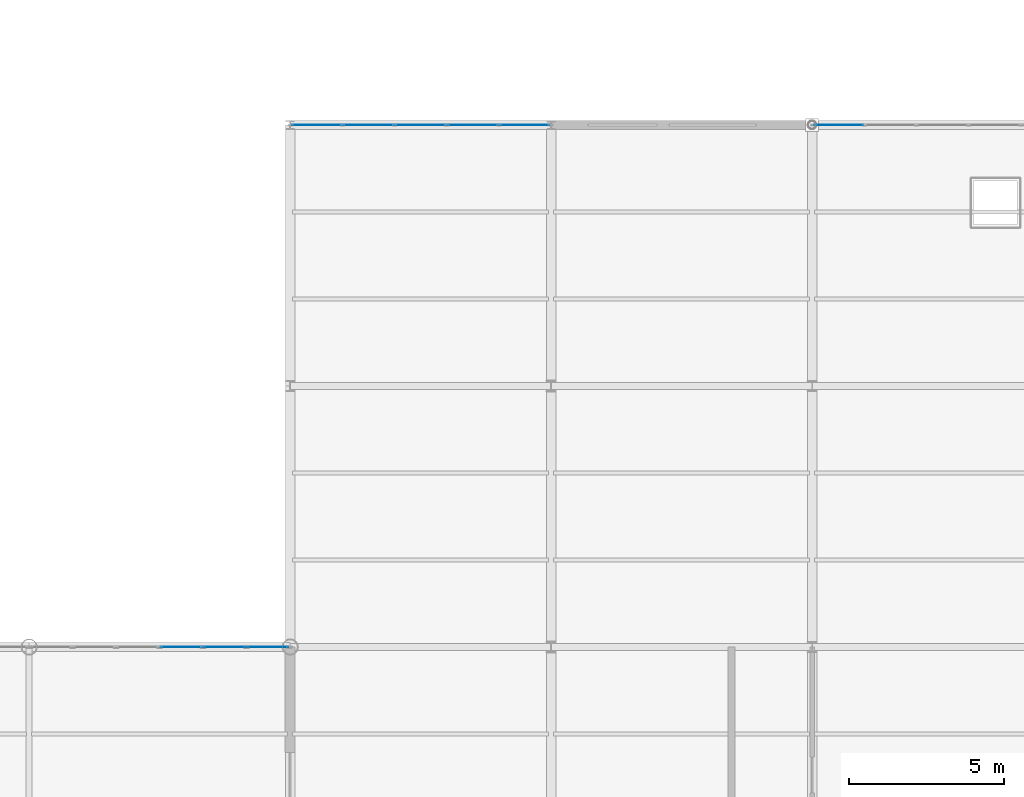
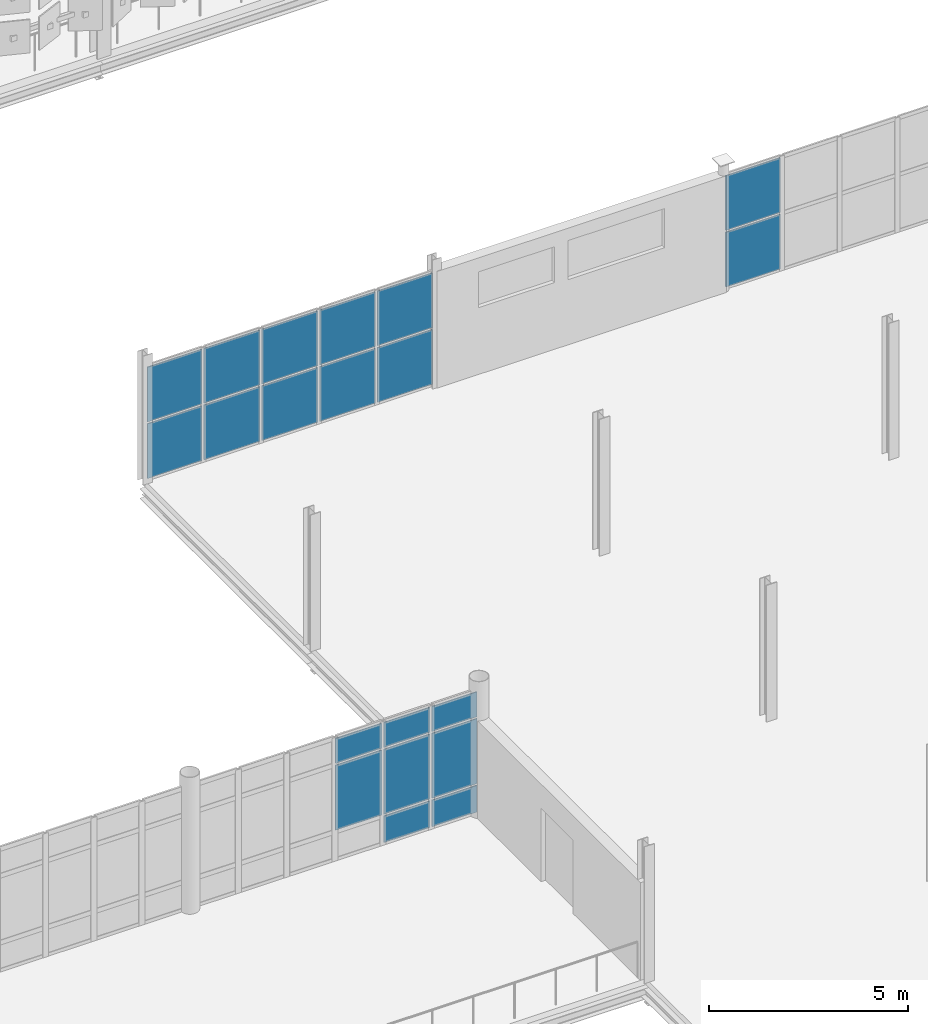
# One storey, part 118 of 163: 20 plates, 3 elements without a shape of their own.
"""IFC4 building model written with IfcOpenShell, lengths in metres."""

from ifc_helpers import new_model, si_unit, direction, frame, origin, origin_2d, place, context, subcontext, project, spatial, rectangle, extrude, material, layer, layer_set, type_object, element, aggregate, save


model = new_model("IFC4")

# Units and contexts
model_context = context("Model", 3, precision=1e-05, world=origin(), true_north=direction((0.0, 1.0)))
body_context = subcontext(model_context, "Body", "Model", "MODEL_VIEW")
ifc_project = project(units=[si_unit("LENGTHUNIT", "METRE"), si_unit("AREAUNIT", "SQUARE_METRE"), si_unit("VOLUMEUNIT", "CUBIC_METRE"), si_unit("PLANEANGLEUNIT", "RADIAN"), si_unit("MASSUNIT", "GRAM", prefix="KILO")], contexts=[model_context])

# Site, building, storey
site_placement = place(None, origin())
site = spatial("IfcSite", under=ifc_project, at=site_placement, CompositionType="ELEMENT")
building_placement = place(site_placement, origin())
building = spatial("IfcBuilding", under=site, at=building_placement, Name="Qalvenar Corner Mobility Hub", CompositionType="ELEMENT")
storey_placement = place(building_placement, frame((0.0, 0.0, 4.800048828125)))
storey = spatial("IfcBuildingStorey", under=building, at=storey_placement, Name="L01", CompositionType="ELEMENT", Elevation=4.800048828125)

# Curtain wall, plates
ifc_material_1 = material(Name="Anodised Aluminium and Low-E Glazing", Category="aluminium")
ifc_layer_1 = layer(ifc_material_1, 0.179931640625)
ifc_layer_set_1 = layer_set([ifc_layer_1], Name="Anodised Aluminium and Low-E Glazing")
curtain_wall_type_1 = type_object("IfcCurtainWallType", Name="CW-CONC-84X42", PredefinedType="NOTDEFINED", material=ifc_layer_set_1)
curtain_wall_1_placement = place(storey_placement, origin())
curtain_wall_1 = element("IfcCurtainWall", 1, at=curtain_wall_1_placement, inside=storey, type_object=curtain_wall_type_1, Name="Glazed Curtain Wall CW-V1-L01-N6", PredefinedType="NOTDEFINED")
ifc_material_2 = material(Name="Solar-Control Low-E Double Glazing", Category="glass")
ifc_layer_2 = layer(ifc_material_2, 0.028076171875)
ifc_layer_set_2 = layer_set([ifc_layer_2], Name="Solar-Control Low-E Double Glazing")
plate_type = type_object("IfcPlateType", Name="PLT-CWP-GLZ1", PredefinedType="CURTAIN_PANEL", material=ifc_layer_set_2)
plate_1_placement = place(storey_placement, frame((108.485107421875, 33.60009765625, 0.054931640625), z_axis=(0.0, 0.0, 1.0), x_axis=(-1.0, 0.0, 0.0)))
plate_1 = element("IfcPlate", 2, at=plate_1_placement, type_object=plate_type, Name="CW-02 panel 1.1", PredefinedType="CURTAIN_PANEL", context=body_context, shape_type="SweptSolid", body=[
    extrude(rectangle(XDim=1.31005859375, YDim=0.028076171875, at=origin_2d()), origin(), (0.0, 0.0, 1.0), 0.8173828125),
])
plate_2_placement = place(storey_placement, frame((108.485107421875, 33.60009765625, 0.927490234375), z_axis=(0.0, 0.0, 1.0), x_axis=(-1.0, 0.0, 0.0)))
plate_2 = element("IfcPlate", 3, at=plate_2_placement, type_object=plate_type, Name="CW-02 panel 1.2", PredefinedType="CURTAIN_PANEL", context=body_context, shape_type="SweptSolid", body=[
    extrude(rectangle(XDim=1.31005859375, YDim=0.028076171875, at=origin_2d()), origin(), (0.0, 0.0, 1.0), 1.9951171875),
])
plate_3_placement = place(storey_placement, frame((108.485107421875, 33.60009765625, 2.977294921875), z_axis=(0.0, 0.0, 1.0), x_axis=(-1.0, 0.0, 0.0)))
plate_3 = element("IfcPlate", 4, at=plate_3_placement, type_object=plate_type, Name="CW-02 panel 1.3", PredefinedType="CURTAIN_PANEL", context=body_context, shape_type="SweptSolid", body=[
    extrude(rectangle(XDim=1.31005859375, YDim=0.028076171875, at=origin_2d()), origin(), (0.0, 0.0, 1.0), 0.767578125),
])
plate_4_placement = place(storey_placement, frame((107.10009765625, 33.60009765625, 0.054931640625), z_axis=(0.0, 0.0, 1.0), x_axis=(-1.0, 0.0, 0.0)))
plate_4 = element("IfcPlate", 5, at=plate_4_placement, type_object=plate_type, Name="CW-02 panel 2.1", PredefinedType="CURTAIN_PANEL", context=body_context, shape_type="SweptSolid", body=[
    extrude(rectangle(XDim=1.340087890625, YDim=0.028076171875, at=origin_2d()), origin(), (0.0, 0.0, 1.0), 0.8173828125),
])
plate_5_placement = place(storey_placement, frame((107.10009765625, 33.60009765625, 0.927490234375), z_axis=(0.0, 0.0, 1.0), x_axis=(-1.0, 0.0, 0.0)))
plate_5 = element("IfcPlate", 6, at=plate_5_placement, type_object=plate_type, Name="CW-02 panel 2.2", PredefinedType="CURTAIN_PANEL", context=body_context, shape_type="SweptSolid", body=[
    extrude(rectangle(XDim=1.340087890625, YDim=0.028076171875, at=origin_2d()), origin(), (0.0, 0.0, 1.0), 1.9951171875),
])
plate_6_placement = place(storey_placement, frame((107.10009765625, 33.60009765625, 2.977294921875), z_axis=(0.0, 0.0, 1.0), x_axis=(-1.0, 0.0, 0.0)))
plate_6 = element("IfcPlate", 7, at=plate_6_placement, type_object=plate_type, Name="CW-02 panel 2.3", PredefinedType="CURTAIN_PANEL", context=body_context, shape_type="SweptSolid", body=[
    extrude(rectangle(XDim=1.340087890625, YDim=0.028076171875, at=origin_2d()), origin(), (0.0, 0.0, 1.0), 0.767578125),
])
plate_7_placement = place(storey_placement, frame((105.699951171875, 33.60009765625, 0.927490234375), z_axis=(0.0, 0.0, 1.0), x_axis=(-1.0, 0.0, 0.0)))
plate_7 = element("IfcPlate", 8, at=plate_7_placement, type_object=plate_type, Name="CW-02 panel 3.2", PredefinedType="CURTAIN_PANEL", context=body_context, shape_type="SweptSolid", body=[
    extrude(rectangle(XDim=1.340087890625, YDim=0.028076171875, at=origin_2d()), origin(), (0.0, 0.0, 1.0), 1.9951171875),
])
plate_8_placement = place(storey_placement, frame((105.699951171875, 33.60009765625, 2.977294921875), z_axis=(0.0, 0.0, 1.0), x_axis=(-1.0, 0.0, 0.0)))
plate_8 = element("IfcPlate", 9, at=plate_8_placement, type_object=plate_type, Name="CW-02 panel 3.3", PredefinedType="CURTAIN_PANEL", context=body_context, shape_type="SweptSolid", body=[
    extrude(rectangle(XDim=1.340087890625, YDim=0.028076171875, at=origin_2d()), origin(), (0.0, 0.0, 1.0), 0.767578125),
])
aggregate(curtain_wall_1, [plate_1, plate_2, plate_3, plate_4, plate_5, plate_6, plate_7, plate_8])

ifc_layer_3 = layer(ifc_material_1, 0.14990234375)
ifc_layer_set_3 = layer_set([ifc_layer_3], Name="Anodised Aluminium and Low-E Glazing")
curtain_wall_type_2 = type_object("IfcCurtainWallType", Name="CW-WKS-84X44", PredefinedType="NOTDEFINED", material=ifc_layer_set_3)
curtain_wall_2_placement = place(storey_placement, origin())
curtain_wall_2 = element("IfcCurtainWall", 10, at=curtain_wall_2_placement, inside=storey, type_object=curtain_wall_type_2, Name="Glazed Curtain Wall CW-V6-L01-N0", PredefinedType="NOTDEFINED")
plate_9_placement = place(storey_placement, frame((116.7451171875, 50.39990234375, 0.054931640625), z_axis=(0.0, 0.0, 1.0), x_axis=(-1.0, 0.0, 0.0)))
plate_9 = element("IfcPlate", 11, at=plate_9_placement, type_object=plate_type, Name="CW-09 panel 1.1", PredefinedType="CURTAIN_PANEL", context=body_context, shape_type="SweptSolid", body=[
    extrude(rectangle(XDim=1.590087890625, YDim=0.028076171875, at=origin_2d()), origin(), (0.0, 0.0, 1.0), 1.6826171875),
])
plate_10_placement = place(storey_placement, frame((116.7451171875, 50.39990234375, 1.79248046875), z_axis=(0.0, 0.0, 1.0), x_axis=(-1.0, 0.0, 0.0)))
plate_10 = element("IfcPlate", 12, at=plate_10_placement, type_object=plate_type, Name="CW-09 panel 1.2", PredefinedType="CURTAIN_PANEL", context=body_context, shape_type="SweptSolid", body=[
    extrude(rectangle(XDim=1.590087890625, YDim=0.028076171875, at=origin_2d()), origin(), (0.0, 0.0, 1.0), 1.6826171875),
])
plate_11_placement = place(storey_placement, frame((115.080078125, 50.39990234375, 0.054931640625), z_axis=(0.0, 0.0, 1.0), x_axis=(-1.0, 0.0, 0.0)))
plate_11 = element("IfcPlate", 13, at=plate_11_placement, type_object=plate_type, Name="CW-09 panel 2.1", PredefinedType="CURTAIN_PANEL", context=body_context, shape_type="SweptSolid", body=[
    extrude(rectangle(XDim=1.6201171875, YDim=0.028076171875, at=origin_2d()), origin(), (0.0, 0.0, 1.0), 1.6826171875),
])
plate_12_placement = place(storey_placement, frame((115.080078125, 50.39990234375, 1.79248046875), z_axis=(0.0, 0.0, 1.0), x_axis=(-1.0, 0.0, 0.0)))
plate_12 = element("IfcPlate", 14, at=plate_12_placement, type_object=plate_type, Name="CW-09 panel 2.2", PredefinedType="CURTAIN_PANEL", context=body_context, shape_type="SweptSolid", body=[
    extrude(rectangle(XDim=1.6201171875, YDim=0.028076171875, at=origin_2d()), origin(), (0.0, 0.0, 1.0), 1.6826171875),
])
plate_13_placement = place(storey_placement, frame((113.39990234375, 50.39990234375, 0.054931640625), z_axis=(0.0, 0.0, 1.0), x_axis=(-1.0, 0.0, 0.0)))
plate_13 = element("IfcPlate", 15, at=plate_13_placement, type_object=plate_type, Name="CW-09 panel 3.1", PredefinedType="CURTAIN_PANEL", context=body_context, shape_type="SweptSolid", body=[
    extrude(rectangle(XDim=1.6201171875, YDim=0.028076171875, at=origin_2d()), origin(), (0.0, 0.0, 1.0), 1.6826171875),
])
plate_14_placement = place(storey_placement, frame((113.39990234375, 50.39990234375, 1.79248046875), z_axis=(0.0, 0.0, 1.0), x_axis=(-1.0, 0.0, 0.0)))
plate_14 = element("IfcPlate", 16, at=plate_14_placement, type_object=plate_type, Name="CW-09 panel 3.2", PredefinedType="CURTAIN_PANEL", context=body_context, shape_type="SweptSolid", body=[
    extrude(rectangle(XDim=1.6201171875, YDim=0.028076171875, at=origin_2d()), origin(), (0.0, 0.0, 1.0), 1.6826171875),
])
plate_15_placement = place(storey_placement, frame((111.719970703125, 50.39990234375, 0.054931640625), z_axis=(0.0, 0.0, 1.0), x_axis=(-1.0, 0.0, 0.0)))
plate_15 = element("IfcPlate", 17, at=plate_15_placement, type_object=plate_type, Name="CW-09 panel 4.1", PredefinedType="CURTAIN_PANEL", context=body_context, shape_type="SweptSolid", body=[
    extrude(rectangle(XDim=1.6201171875, YDim=0.028076171875, at=origin_2d()), origin(), (0.0, 0.0, 1.0), 1.6826171875),
])
plate_16_placement = place(storey_placement, frame((111.719970703125, 50.39990234375, 1.79248046875), z_axis=(0.0, 0.0, 1.0), x_axis=(-1.0, 0.0, 0.0)))
plate_16 = element("IfcPlate", 18, at=plate_16_placement, type_object=plate_type, Name="CW-09 panel 4.2", PredefinedType="CURTAIN_PANEL", context=body_context, shape_type="SweptSolid", body=[
    extrude(rectangle(XDim=1.6201171875, YDim=0.028076171875, at=origin_2d()), origin(), (0.0, 0.0, 1.0), 1.6826171875),
])
plate_17_placement = place(storey_placement, frame((110.054931640625, 50.39990234375, 0.054931640625), z_axis=(0.0, 0.0, 1.0), x_axis=(-1.0, 0.0, 0.0)))
plate_17 = element("IfcPlate", 19, at=plate_17_placement, type_object=plate_type, Name="CW-09 panel 5.1", PredefinedType="CURTAIN_PANEL", context=body_context, shape_type="SweptSolid", body=[
    extrude(rectangle(XDim=1.590087890625, YDim=0.028076171875, at=origin_2d()), origin(), (0.0, 0.0, 1.0), 1.6826171875),
])
plate_18_placement = place(storey_placement, frame((110.054931640625, 50.39990234375, 1.79248046875), z_axis=(0.0, 0.0, 1.0), x_axis=(-1.0, 0.0, 0.0)))
plate_18 = element("IfcPlate", 20, at=plate_18_placement, type_object=plate_type, Name="CW-09 panel 5.2", PredefinedType="CURTAIN_PANEL", context=body_context, shape_type="SweptSolid", body=[
    extrude(rectangle(XDim=1.590087890625, YDim=0.028076171875, at=origin_2d()), origin(), (0.0, 0.0, 1.0), 1.6826171875),
])
aggregate(curtain_wall_2, [plate_9, plate_10, plate_11, plate_12, plate_13, plate_14, plate_15, plate_16, plate_17, plate_18])

curtain_wall_3_placement = place(storey_placement, origin())
curtain_wall_3 = element("IfcCurtainWall", 21, at=curtain_wall_3_placement, inside=storey, type_object=curtain_wall_type_2, Name="Glazed Curtain Wall CW-V6-L01-N2", PredefinedType="NOTDEFINED")
plate_19_placement = place(storey_placement, frame((126.85498046875, 50.39990234375, 0.054931640625), z_axis=(0.0, 0.0, 1.0), x_axis=(-1.0, 0.0, 0.0)))
plate_19 = element("IfcPlate", 22, at=plate_19_placement, type_object=plate_type, Name="CW-09 panel 5.1", PredefinedType="CURTAIN_PANEL", context=body_context, shape_type="SweptSolid", body=[
    extrude(rectangle(XDim=1.590087890625, YDim=0.028076171875, at=origin_2d()), origin(), (0.0, 0.0, 1.0), 1.6826171875),
])
plate_20_placement = place(storey_placement, frame((126.85498046875, 50.39990234375, 1.79248046875), z_axis=(0.0, 0.0, 1.0), x_axis=(-1.0, 0.0, 0.0)))
plate_20 = element("IfcPlate", 23, at=plate_20_placement, type_object=plate_type, Name="CW-09 panel 5.2", PredefinedType="CURTAIN_PANEL", context=body_context, shape_type="SweptSolid", body=[
    extrude(rectangle(XDim=1.590087890625, YDim=0.028076171875, at=origin_2d()), origin(), (0.0, 0.0, 1.0), 1.6826171875),
])
aggregate(curtain_wall_3, [plate_19, plate_20])

save(model, "model.ifc")
